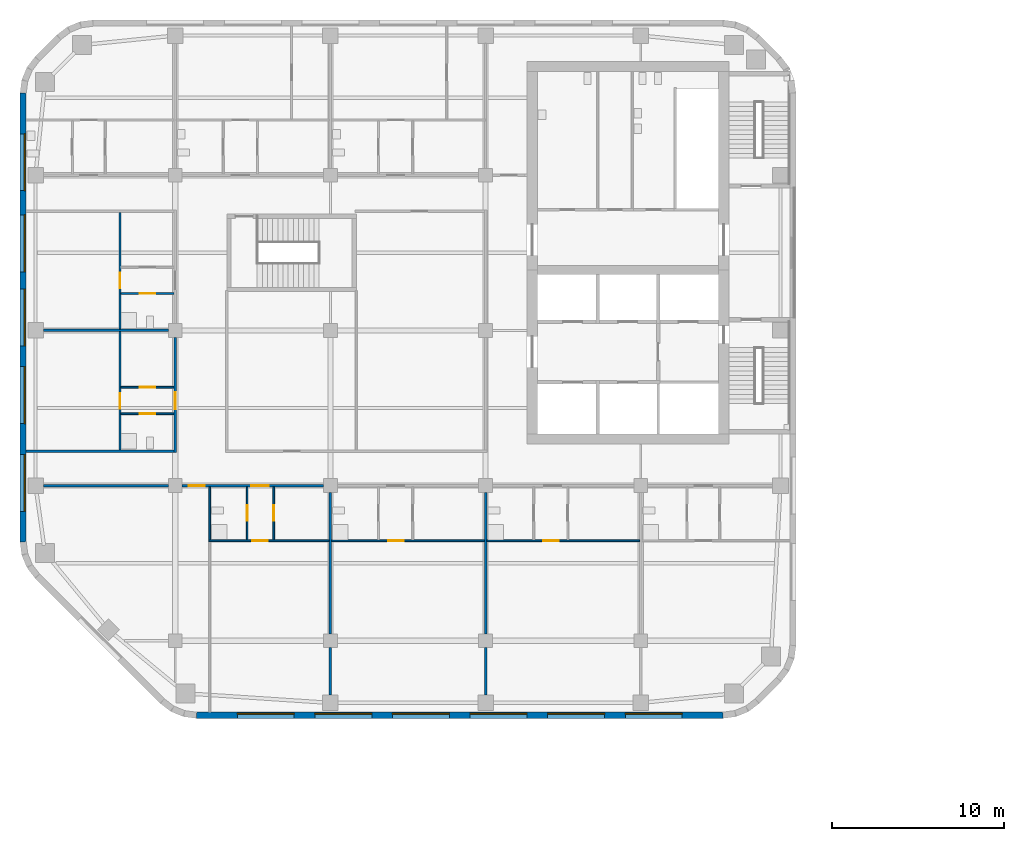
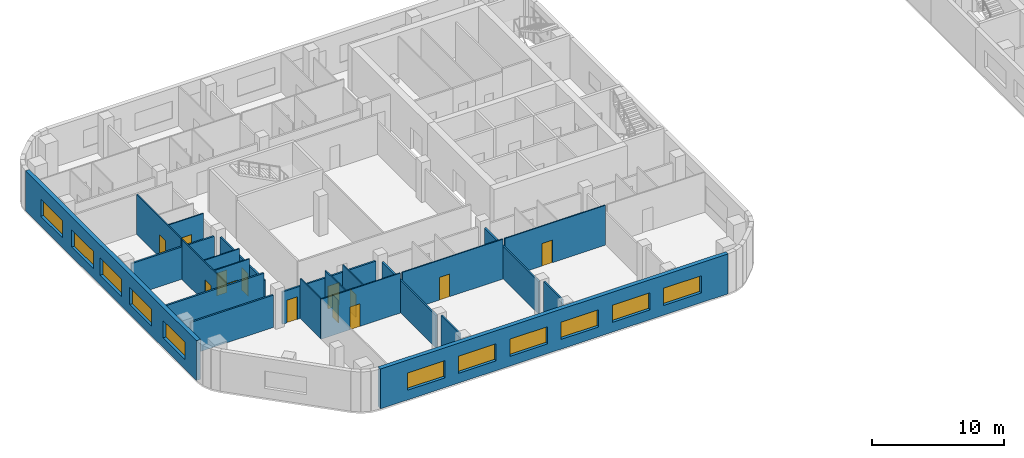
# One storey, part 5 of 16: 22 walls, 13 doors, 11 windows, 24 openings.
"""IFC4 building model written with IfcOpenShell, lengths in metres."""

from ifc_helpers import new_model, si_unit, direction, frame, frame_2d, origin, place, context, subcontext, project, spatial, rectangle, extrude, material, layer, layer_set, type_object, element, fill, save


model = new_model("IFC4")

# Units and contexts
model_context = context("Model", 3, precision=1e-05, world=origin(), true_north=direction((0.0, 1.0)))
body_context = subcontext(model_context, "Body", "Model", "MODEL_VIEW")
ifc_project = project(units=[si_unit("LENGTHUNIT", "METRE"), si_unit("AREAUNIT", "SQUARE_METRE"), si_unit("VOLUMEUNIT", "CUBIC_METRE"), si_unit("PLANEANGLEUNIT", "RADIAN"), si_unit("MASSUNIT", "GRAM", prefix="KILO")], contexts=[model_context])

# Site, building, storey
site_placement = place(None, origin())
site = spatial("IfcSite", under=ifc_project, at=site_placement, CompositionType="ELEMENT")
building_placement = place(site_placement, origin())
building = spatial("IfcBuilding", under=site, at=building_placement, Name="Cinnabar Reach Civic Tower", CompositionType="ELEMENT")
storey_placement = place(building_placement, frame((0.0, 0.0, 42.0)))
storey = spatial("IfcBuildingStorey", under=building, at=storey_placement, Name="L09", CompositionType="ELEMENT", Elevation=42.0)

# Wall, openings, windows
ifc_material_1 = material(Name="Facing brick with insulated backing", Category="masonry")
ifc_layer_1 = layer(ifc_material_1, 0.36)
ifc_layer_set_1 = layer_set([ifc_layer_1], Name="Brick pier and spandrel wall")
wall_type_1 = type_object("IfcWallType", Name="Brick pier and spandrel wall", PredefinedType="STANDARD", material=ifc_layer_set_1)
wall_1_placement = place(storey_placement, frame((-61.7574, 4.68, 0.0), z_axis=(0.0, 0.0, 1.0), x_axis=(1.0, 0.0, 0.0)))
wall_1 = element("IfcWall", 1, at=wall_1_placement, inside=storey, type_object=wall_type_1, Name="Brick facade wall", PredefinedType="STANDARD", context=body_context, shape_type="SweptSolid", body=[
    extrude(rectangle(XDim=30.5148, YDim=0.36, at=frame_2d((15.2574, 0.0))), origin(), (0.0, 0.0, 1.0), 3.7),
])
opening_1_placement = place(wall_1_placement, frame((2.3574, 0.0, 0.9)))
opening_1 = element("IfcOpeningElement", 2, at=opening_1_placement, cuts=wall_1, Name="Opening W2438", PredefinedType="OPENING", context=body_context, shape_type="SweptSolid", body=[
    extrude(rectangle(XDim=3.3, YDim=1.6, at=frame_2d((1.65, 0.8))), frame((0.0, 0.19, 0.0), z_axis=(0.0, -1.0, 0.0), x_axis=(1.0, 0.0, 0.0)), (0.0, 0.0, 1.0), 0.38),
])
opening_2_placement = place(wall_1_placement, frame((6.8574, 0.0, 0.9)))
opening_2 = element("IfcOpeningElement", 3, at=opening_2_placement, cuts=wall_1, Name="Opening W2439", PredefinedType="OPENING", context=body_context, shape_type="SweptSolid", body=[
    extrude(rectangle(XDim=3.3, YDim=1.6, at=frame_2d((1.65, 0.8))), frame((0.0, 0.19, 0.0), z_axis=(0.0, -1.0, 0.0), x_axis=(1.0, 0.0, 0.0)), (0.0, 0.0, 1.0), 0.38),
])
opening_3_placement = place(wall_1_placement, frame((11.3574, 0.0, 0.9)))
opening_3 = element("IfcOpeningElement", 4, at=opening_3_placement, cuts=wall_1, Name="Opening W2440", PredefinedType="OPENING", context=body_context, shape_type="SweptSolid", body=[
    extrude(rectangle(XDim=3.3, YDim=1.6, at=frame_2d((1.65, 0.8))), frame((0.0, 0.19, 0.0), z_axis=(0.0, -1.0, 0.0), x_axis=(1.0, 0.0, 0.0)), (0.0, 0.0, 1.0), 0.38),
])
opening_4_placement = place(wall_1_placement, frame((15.8574, 0.0, 0.9)))
opening_4 = element("IfcOpeningElement", 5, at=opening_4_placement, cuts=wall_1, Name="Opening W2441", PredefinedType="OPENING", context=body_context, shape_type="SweptSolid", body=[
    extrude(rectangle(XDim=3.3, YDim=1.6, at=frame_2d((1.65, 0.8))), frame((0.0, 0.19, 0.0), z_axis=(0.0, -1.0, 0.0), x_axis=(1.0, 0.0, 0.0)), (0.0, 0.0, 1.0), 0.38),
])
opening_5_placement = place(wall_1_placement, frame((20.3574, 0.0, 0.9)))
opening_5 = element("IfcOpeningElement", 6, at=opening_5_placement, cuts=wall_1, Name="Opening W2442", PredefinedType="OPENING", context=body_context, shape_type="SweptSolid", body=[
    extrude(rectangle(XDim=3.3, YDim=1.6, at=frame_2d((1.65, 0.8))), frame((0.0, 0.19, 0.0), z_axis=(0.0, -1.0, 0.0), x_axis=(1.0, 0.0, 0.0)), (0.0, 0.0, 1.0), 0.38),
])
opening_6_placement = place(wall_1_placement, frame((24.8574, 0.0, 0.9)))
opening_6 = element("IfcOpeningElement", 7, at=opening_6_placement, cuts=wall_1, Name="Opening W2443", PredefinedType="OPENING", context=body_context, shape_type="SweptSolid", body=[
    extrude(rectangle(XDim=3.3, YDim=1.6, at=frame_2d((1.65, 0.8))), frame((0.0, 0.19, 0.0), z_axis=(0.0, -1.0, 0.0), x_axis=(1.0, 0.0, 0.0)), (0.0, 0.0, 1.0), 0.38),
])
ifc_material_2 = material(Name="Clear double glazing in aluminium frame", Category="aluminium")
window_type = type_object("IfcWindowType", Name="Deep-set window A", PartitioningType="SINGLE_PANEL", PredefinedType="WINDOW", material=ifc_material_2)
window_1_placement = place(opening_1_placement, origin())
window_1 = element("IfcWindow", 8, at=window_1_placement, inside=storey, type_object=window_type, Name="Window south face", OverallHeight=1.6, OverallWidth=3.3, PartitioningType="SINGLE_PANEL", PredefinedType="WINDOW", context=body_context, shape_type="SweptSolid", body=[
    extrude(rectangle(XDim=3.3, YDim=1.6, at=frame_2d((1.65, 0.8))), frame((0.0, 0.13, 0.0), z_axis=(0.0, -1.0, 0.0), x_axis=(1.0, 0.0, 0.0)), (0.0, 0.0, 1.0), 0.06),
])
fill(opening_1, window_1)
window_2_placement = place(opening_2_placement, origin())
window_2 = element("IfcWindow", 9, at=window_2_placement, inside=storey, type_object=window_type, Name="Window south face", OverallHeight=1.6, OverallWidth=3.3, PartitioningType="SINGLE_PANEL", PredefinedType="WINDOW", context=body_context, shape_type="SweptSolid", body=[
    extrude(rectangle(XDim=3.3, YDim=1.6, at=frame_2d((1.65, 0.8))), frame((0.0, 0.13, 0.0), z_axis=(0.0, -1.0, 0.0), x_axis=(1.0, 0.0, 0.0)), (0.0, 0.0, 1.0), 0.06),
])
fill(opening_2, window_2)
window_3_placement = place(opening_3_placement, origin())
window_3 = element("IfcWindow", 10, at=window_3_placement, inside=storey, type_object=window_type, Name="Window south face", OverallHeight=1.6, OverallWidth=3.3, PartitioningType="SINGLE_PANEL", PredefinedType="WINDOW", context=body_context, shape_type="SweptSolid", body=[
    extrude(rectangle(XDim=3.3, YDim=1.6, at=frame_2d((1.65, 0.8))), frame((0.0, 0.13, 0.0), z_axis=(0.0, -1.0, 0.0), x_axis=(1.0, 0.0, 0.0)), (0.0, 0.0, 1.0), 0.06),
])
fill(opening_3, window_3)
window_4_placement = place(opening_4_placement, origin())
window_4 = element("IfcWindow", 11, at=window_4_placement, inside=storey, type_object=window_type, Name="Window south face", OverallHeight=1.6, OverallWidth=3.3, PartitioningType="SINGLE_PANEL", PredefinedType="WINDOW", context=body_context, shape_type="SweptSolid", body=[
    extrude(rectangle(XDim=3.3, YDim=1.6, at=frame_2d((1.65, 0.8))), frame((0.0, 0.13, 0.0), z_axis=(0.0, -1.0, 0.0), x_axis=(1.0, 0.0, 0.0)), (0.0, 0.0, 1.0), 0.06),
])
fill(opening_4, window_4)
window_5_placement = place(opening_5_placement, origin())
window_5 = element("IfcWindow", 12, at=window_5_placement, inside=storey, type_object=window_type, Name="Window south face", OverallHeight=1.6, OverallWidth=3.3, PartitioningType="SINGLE_PANEL", PredefinedType="WINDOW", context=body_context, shape_type="SweptSolid", body=[
    extrude(rectangle(XDim=3.3, YDim=1.6, at=frame_2d((1.65, 0.8))), frame((0.0, 0.13, 0.0), z_axis=(0.0, -1.0, 0.0), x_axis=(1.0, 0.0, 0.0)), (0.0, 0.0, 1.0), 0.06),
])
fill(opening_5, window_5)
window_6_placement = place(opening_6_placement, origin())
window_6 = element("IfcWindow", 13, at=window_6_placement, inside=storey, type_object=window_type, Name="Window south face", OverallHeight=1.6, OverallWidth=3.3, PartitioningType="SINGLE_PANEL", PredefinedType="WINDOW", context=body_context, shape_type="SweptSolid", body=[
    extrude(rectangle(XDim=3.3, YDim=1.6, at=frame_2d((1.65, 0.8))), frame((0.0, 0.13, 0.0), z_axis=(0.0, -1.0, 0.0), x_axis=(1.0, 0.0, 0.0)), (0.0, 0.0, 1.0), 0.06),
])
fill(opening_6, window_6)

wall_2_placement = place(storey_placement, frame((-71.82, 40.7574, 0.0), z_axis=(0.0, 0.0, 1.0), x_axis=(0.0, -1.0, 0.0)))
wall_2 = element("IfcWall", 14, at=wall_2_placement, inside=storey, type_object=wall_type_1, Name="Brick facade wall", PredefinedType="STANDARD", context=body_context, shape_type="SweptSolid", body=[
    extrude(rectangle(XDim=26.0148, YDim=0.36, at=frame_2d((13.0074, 0.0))), origin(), (0.0, 0.0, 1.0), 3.7),
])
opening_7_placement = place(wall_2_placement, frame((2.3574, 0.0, 0.9)))
opening_7 = element("IfcOpeningElement", 15, at=opening_7_placement, cuts=wall_2, Name="Opening W2454", PredefinedType="OPENING", context=body_context, shape_type="SweptSolid", body=[
    extrude(rectangle(XDim=3.3, YDim=1.6, at=frame_2d((1.65, 0.8))), frame((0.0, 0.19, 0.0), z_axis=(0.0, -1.0, 0.0), x_axis=(1.0, 0.0, 0.0)), (0.0, 0.0, 1.0), 0.38),
])
opening_8_placement = place(wall_2_placement, frame((7.0574, 0.0, 0.9)))
opening_8 = element("IfcOpeningElement", 16, at=opening_8_placement, cuts=wall_2, Name="Opening W2455", PredefinedType="OPENING", context=body_context, shape_type="SweptSolid", body=[
    extrude(rectangle(XDim=3.3, YDim=1.6, at=frame_2d((1.65, 0.8))), frame((0.0, 0.19, 0.0), z_axis=(0.0, -1.0, 0.0), x_axis=(1.0, 0.0, 0.0)), (0.0, 0.0, 1.0), 0.38),
])
opening_9_placement = place(wall_2_placement, frame((11.3574, 0.0, 0.9)))
opening_9 = element("IfcOpeningElement", 17, at=opening_9_placement, cuts=wall_2, Name="Opening W2456", PredefinedType="OPENING", context=body_context, shape_type="SweptSolid", body=[
    extrude(rectangle(XDim=3.3, YDim=1.6, at=frame_2d((1.65, 0.8))), frame((0.0, 0.19, 0.0), z_axis=(0.0, -1.0, 0.0), x_axis=(1.0, 0.0, 0.0)), (0.0, 0.0, 1.0), 0.38),
])
opening_10_placement = place(wall_2_placement, frame((15.8574, 0.0, 0.9)))
opening_10 = element("IfcOpeningElement", 18, at=opening_10_placement, cuts=wall_2, Name="Opening W2457", PredefinedType="OPENING", context=body_context, shape_type="SweptSolid", body=[
    extrude(rectangle(XDim=3.3, YDim=1.6, at=frame_2d((1.65, 0.8))), frame((0.0, 0.19, 0.0), z_axis=(0.0, -1.0, 0.0), x_axis=(1.0, 0.0, 0.0)), (0.0, 0.0, 1.0), 0.38),
])
opening_11_placement = place(wall_2_placement, frame((20.9574, 0.0, 0.9)))
opening_11 = element("IfcOpeningElement", 19, at=opening_11_placement, cuts=wall_2, Name="Opening W2458", PredefinedType="OPENING", context=body_context, shape_type="SweptSolid", body=[
    extrude(rectangle(XDim=3.3, YDim=1.6, at=frame_2d((1.65, 0.8))), frame((0.0, 0.19, 0.0), z_axis=(0.0, -1.0, 0.0), x_axis=(1.0, 0.0, 0.0)), (0.0, 0.0, 1.0), 0.38),
])
window_7_placement = place(opening_7_placement, origin())
window_7 = element("IfcWindow", 20, at=window_7_placement, inside=storey, type_object=window_type, Name="Window west face", OverallHeight=1.6, OverallWidth=3.3, PartitioningType="SINGLE_PANEL", PredefinedType="WINDOW", context=body_context, shape_type="SweptSolid", body=[
    extrude(rectangle(XDim=3.3, YDim=1.6, at=frame_2d((1.65, 0.8))), frame((0.0, 0.13, 0.0), z_axis=(0.0, -1.0, 0.0), x_axis=(1.0, 0.0, 0.0)), (0.0, 0.0, 1.0), 0.06),
])
fill(opening_7, window_7)
window_8_placement = place(opening_8_placement, origin())
window_8 = element("IfcWindow", 21, at=window_8_placement, inside=storey, type_object=window_type, Name="Window west face", OverallHeight=1.6, OverallWidth=3.3, PartitioningType="SINGLE_PANEL", PredefinedType="WINDOW", context=body_context, shape_type="SweptSolid", body=[
    extrude(rectangle(XDim=3.3, YDim=1.6, at=frame_2d((1.65, 0.8))), frame((0.0, 0.13, 0.0), z_axis=(0.0, -1.0, 0.0), x_axis=(1.0, 0.0, 0.0)), (0.0, 0.0, 1.0), 0.06),
])
fill(opening_8, window_8)
window_9_placement = place(opening_9_placement, origin())
window_9 = element("IfcWindow", 22, at=window_9_placement, inside=storey, type_object=window_type, Name="Window west face", OverallHeight=1.6, OverallWidth=3.3, PartitioningType="SINGLE_PANEL", PredefinedType="WINDOW", context=body_context, shape_type="SweptSolid", body=[
    extrude(rectangle(XDim=3.3, YDim=1.6, at=frame_2d((1.65, 0.8))), frame((0.0, 0.13, 0.0), z_axis=(0.0, -1.0, 0.0), x_axis=(1.0, 0.0, 0.0)), (0.0, 0.0, 1.0), 0.06),
])
fill(opening_9, window_9)
window_10_placement = place(opening_10_placement, origin())
window_10 = element("IfcWindow", 23, at=window_10_placement, inside=storey, type_object=window_type, Name="Window west face", OverallHeight=1.6, OverallWidth=3.3, PartitioningType="SINGLE_PANEL", PredefinedType="WINDOW", context=body_context, shape_type="SweptSolid", body=[
    extrude(rectangle(XDim=3.3, YDim=1.6, at=frame_2d((1.65, 0.8))), frame((0.0, 0.13, 0.0), z_axis=(0.0, -1.0, 0.0), x_axis=(1.0, 0.0, 0.0)), (0.0, 0.0, 1.0), 0.06),
])
fill(opening_10, window_10)
window_11_placement = place(opening_11_placement, origin())
window_11 = element("IfcWindow", 24, at=window_11_placement, inside=storey, type_object=window_type, Name="Window west face", OverallHeight=1.6, OverallWidth=3.3, PartitioningType="SINGLE_PANEL", PredefinedType="WINDOW", context=body_context, shape_type="SweptSolid", body=[
    extrude(rectangle(XDim=3.3, YDim=1.6, at=frame_2d((1.65, 0.8))), frame((0.0, 0.13, 0.0), z_axis=(0.0, -1.0, 0.0), x_axis=(1.0, 0.0, 0.0)), (0.0, 0.0, 1.0), 0.06),
])
fill(opening_11, window_11)

# Wall, openings, doors
ifc_material_3 = material(Name="Gypsum board on steel studs, double layer", Category="steel")
ifc_layer_2 = layer(ifc_material_3, 0.15)
ifc_layer_set_2 = layer_set([ifc_layer_2], Name="Corridor wall 150 T2")
wall_type_2 = type_object("IfcWallType", Name="Corridor wall 150 T2", PredefinedType="PARTITIONING", material=ifc_layer_set_2)
wall_3_placement = place(storey_placement, frame((-62.6, 18.0, 0.0), z_axis=(0.0, 0.0, 1.0), x_axis=(1.0, 0.0, 0.0)))
wall_3 = element("IfcWall", 25, at=wall_3_placement, inside=storey, type_object=wall_type_2, Name="Corridor wall 4", PredefinedType="PARTITIONING", context=body_context, shape_type="SweptSolid", body=[
    extrude(rectangle(XDim=8.2, YDim=0.15, at=frame_2d((4.1, 0.0))), origin(), (0.0, 0.0, 1.0), 3.0),
])
opening_12_placement = place(wall_3_placement, frame((0.4, 0.0, 0.0)))
opening_12 = element("IfcOpeningElement", 26, at=opening_12_placement, cuts=wall_3, Name="Opening D6328", PredefinedType="OPENING", context=body_context, shape_type="SweptSolid", body=[
    extrude(rectangle(XDim=0.9, YDim=2.1, at=frame_2d((0.45, 1.05))), frame((0.0, 0.085, 0.0), z_axis=(0.0, -1.0, 0.0), x_axis=(1.0, 0.0, 0.0)), (0.0, 0.0, 1.0), 0.17),
])
opening_13_placement = place(wall_3_placement, frame((4.02, 0.0, 0.0)))
opening_13 = element("IfcOpeningElement", 27, at=opening_13_placement, cuts=wall_3, Name="Opening D6332", PredefinedType="OPENING", context=body_context, shape_type="SweptSolid", body=[
    extrude(rectangle(XDim=1.0, YDim=2.1, at=frame_2d((0.5, 1.05))), frame((0.0, 0.085, 0.0), z_axis=(0.0, -1.0, 0.0), x_axis=(1.0, 0.0, 0.0)), (0.0, 0.0, 1.0), 0.17),
])
ifc_material_4 = material(Name="Timber door leaf in steel frame", Category="steel")
door_type_1 = type_object("IfcDoorType", Name="Single swing door 900 x 2100 T2", OperationType="SINGLE_SWING_LEFT", PredefinedType="DOOR", material=ifc_material_4)
door_1_placement = place(opening_12_placement, frame((0.9, 0.0, 0.0), z_axis=(0.0, 0.0, 1.0), x_axis=(-1.0, 0.0, 0.0)))
door_1 = element("IfcDoor", 28, at=door_1_placement, inside=storey, type_object=door_type_1, Name="Door D6328", OperationType="SINGLE_SWING_LEFT", OverallHeight=2.1, OverallWidth=0.9, PredefinedType="DOOR", context=body_context, shape_type="SweptSolid", body=[
    extrude(rectangle(XDim=0.9, YDim=2.1, at=frame_2d((0.45, 1.05))), frame((0.0, 0.025, 0.0), z_axis=(0.0, -1.0, 0.0), x_axis=(1.0, 0.0, 0.0)), (0.0, 0.0, 1.0), 0.05),
])
fill(opening_12, door_1)
door_type_2 = type_object("IfcDoorType", Name="Tenancy entrance door 1000 x 2100 T2", OperationType="SINGLE_SWING_LEFT", PredefinedType="DOOR", material=ifc_material_4)
door_2_placement = place(opening_13_placement, frame((1.0, 0.0, 0.0), z_axis=(0.0, 0.0, 1.0), x_axis=(-1.0, 0.0, 0.0)))
door_2 = element("IfcDoor", 29, at=door_2_placement, inside=storey, type_object=door_type_2, Name="Door D6332", OperationType="SINGLE_SWING_RIGHT", OverallHeight=2.1, OverallWidth=1.0, PredefinedType="DOOR", context=body_context, shape_type="SweptSolid", body=[
    extrude(rectangle(XDim=1.0, YDim=2.1, at=frame_2d((0.5, 1.05))), frame((0.0, 0.025, 0.0), z_axis=(0.0, -1.0, 0.0), x_axis=(1.0, 0.0, 0.0)), (0.0, 0.0, 1.0), 0.05),
])
fill(opening_13, door_2)

# Wall
wall_4_placement = place(storey_placement, frame((-70.65, 18.0, 0.0), z_axis=(0.0, 0.0, 1.0), x_axis=(1.0, 0.0, 0.0)))
element("IfcWall", 30, at=wall_4_placement, inside=storey, type_object=wall_type_2, Name="Corridor wall 5", PredefinedType="PARTITIONING", context=body_context, shape_type="SweptSolid", body=[
    extrude(rectangle(XDim=7.25, YDim=0.15, at=frame_2d((3.625, 0.0))), origin(), (0.0, 0.0, 1.0), 3.0),
])

# Wall, opening, door
wall_5_placement = place(storey_placement, frame((-63.0, 19.925, 0.0), z_axis=(0.0, 0.0, 1.0), x_axis=(0.0, 1.0, 0.0)))
wall_5 = element("IfcWall", 31, at=wall_5_placement, inside=storey, type_object=wall_type_2, Name="Corridor wall 11", PredefinedType="PARTITIONING", context=body_context, shape_type="SweptSolid", body=[
    extrude(rectangle(XDim=6.675, YDim=0.15, at=frame_2d((3.3375, 0.0))), origin(), (0.0, 0.0, 1.0), 3.008),
])
opening_14_placement = place(wall_5_placement, frame((2.495, 0.0, 0.0)))
opening_14 = element("IfcOpeningElement", 32, at=opening_14_placement, cuts=wall_5, Name="Opening D6362", PredefinedType="OPENING", context=body_context, shape_type="SweptSolid", body=[
    extrude(rectangle(XDim=1.0, YDim=2.1, at=frame_2d((0.5, 1.05))), frame((0.0, 0.085, 0.0), z_axis=(0.0, -1.0, 0.0), x_axis=(1.0, 0.0, 0.0)), (0.0, 0.0, 1.0), 0.17),
])
door_3_placement = place(opening_14_placement, origin())
door_3 = element("IfcDoor", 33, at=door_3_placement, inside=storey, type_object=door_type_2, Name="Door D6362", OperationType="SINGLE_SWING_LEFT", OverallHeight=2.1, OverallWidth=1.0, PredefinedType="DOOR", context=body_context, shape_type="SweptSolid", body=[
    extrude(rectangle(XDim=1.0, YDim=2.1, at=frame_2d((0.5, 1.05))), frame((0.0, 0.025, 0.0), z_axis=(0.0, -1.0, 0.0), x_axis=(1.0, 0.0, 0.0)), (0.0, 0.0, 1.0), 0.05),
])
fill(opening_14, door_3)

# Wall
wall_6_placement = place(storey_placement, frame((-71.64, 20.0, 0.0), z_axis=(0.0, 0.0, 1.0), x_axis=(1.0, 0.0, 0.0)))
element("IfcWall", 34, at=wall_6_placement, inside=storey, type_object=wall_type_2, Name="Corridor wall 16", PredefinedType="PARTITIONING", context=body_context, shape_type="SweptSolid", body=[
    extrude(rectangle(XDim=8.565, YDim=0.15, at=frame_2d((4.2825, 0.0))), origin(), (0.0, 0.0, 1.0), 3.7),
])

# Wall, opening, door
ifc_material_5 = material(Name="Gypsum board on steel studs", Category="steel")
ifc_layer_3 = layer(ifc_material_5, 0.1)
ifc_layer_set_3 = layer_set([ifc_layer_3], Name="Partition wall 100 T2")
wall_type_3 = type_object("IfcWallType", Name="Partition wall 100 T2", PredefinedType="PARTITIONING", material=ifc_layer_set_3)
wall_7_placement = place(storey_placement, frame((-61.05, 14.8, 0.0), z_axis=(0.0, 0.0, 1.0), x_axis=(1.0, 0.0, 0.0)))
wall_7 = element("IfcWall", 35, at=wall_7_placement, inside=storey, type_object=wall_type_3, Name="Partition wall 28", PredefinedType="PARTITIONING", context=body_context, shape_type="SweptSolid", body=[
    extrude(rectangle(XDim=6.975, YDim=0.1, at=frame_2d((3.4875, 0.0))), origin(), (0.0, 0.0, 1.0), 3.7),
])
opening_15_placement = place(wall_7_placement, frame((2.52, 0.0, 0.0)))
opening_15 = element("IfcOpeningElement", 36, at=opening_15_placement, cuts=wall_7, Name="Opening D6331", PredefinedType="OPENING", context=body_context, shape_type="SweptSolid", body=[
    extrude(rectangle(XDim=0.9, YDim=2.1, at=frame_2d((0.45, 1.05))), frame((0.0, 0.06, 0.0), z_axis=(0.0, -1.0, 0.0), x_axis=(1.0, 0.0, 0.0)), (0.0, 0.0, 1.0), 0.12),
])
door_4_placement = place(opening_15_placement, origin())
door_4 = element("IfcDoor", 37, at=door_4_placement, inside=storey, type_object=door_type_1, Name="Door D6331", OperationType="SINGLE_SWING_LEFT", OverallHeight=2.1, OverallWidth=0.9, PredefinedType="DOOR", context=body_context, shape_type="SweptSolid", body=[
    extrude(rectangle(XDim=0.9, YDim=2.1, at=frame_2d((0.45, 1.05))), frame((0.0, 0.025, 0.0), z_axis=(0.0, -1.0, 0.0), x_axis=(1.0, 0.0, 0.0)), (0.0, 0.0, 1.0), 0.05),
])
fill(opening_15, door_4)

wall_8_placement = place(storey_placement, frame((-53.925, 14.8, 0.0), z_axis=(0.0, 0.0, 1.0), x_axis=(1.0, 0.0, 0.0)))
wall_8 = element("IfcWall", 38, at=wall_8_placement, inside=storey, type_object=wall_type_3, Name="Partition wall 29", PredefinedType="PARTITIONING", context=body_context, shape_type="SweptSolid", body=[
    extrude(rectangle(XDim=8.85, YDim=0.1, at=frame_2d((4.425, 0.0))), origin(), (0.0, 0.0, 1.0), 3.7),
])
opening_16_placement = place(wall_8_placement, frame((3.265, 0.0, 0.0)))
opening_16 = element("IfcOpeningElement", 39, at=opening_16_placement, cuts=wall_8, Name="Opening D6335", PredefinedType="OPENING", context=body_context, shape_type="SweptSolid", body=[
    extrude(rectangle(XDim=0.9, YDim=2.1, at=frame_2d((0.45, 1.05))), frame((0.0, 0.06, 0.0), z_axis=(0.0, -1.0, 0.0), x_axis=(1.0, 0.0, 0.0)), (0.0, 0.0, 1.0), 0.12),
])
door_5_placement = place(opening_16_placement, origin())
door_5 = element("IfcDoor", 40, at=door_5_placement, inside=storey, type_object=door_type_1, Name="Door D6335", OperationType="SINGLE_SWING_RIGHT", OverallHeight=2.1, OverallWidth=0.9, PredefinedType="DOOR", context=body_context, shape_type="SweptSolid", body=[
    extrude(rectangle(XDim=0.9, YDim=2.1, at=frame_2d((0.45, 1.05))), frame((0.0, 0.025, 0.0), z_axis=(0.0, -1.0, 0.0), x_axis=(1.0, 0.0, 0.0)), (0.0, 0.0, 1.0), 0.05),
])
fill(opening_16, door_5)

wall_9_placement = place(storey_placement, frame((-44.925, 14.8, 0.0), z_axis=(0.0, 0.0, 1.0), x_axis=(1.0, 0.0, 0.0)))
wall_9 = element("IfcWall", 41, at=wall_9_placement, inside=storey, type_object=wall_type_3, Name="Partition wall 30", PredefinedType="PARTITIONING", context=body_context, shape_type="SweptSolid", body=[
    extrude(rectangle(XDim=8.85, YDim=0.1, at=frame_2d((4.425, 0.0))), origin(), (0.0, 0.0, 1.0), 3.7),
])
opening_17_placement = place(wall_9_placement, frame((3.265, 0.0, 0.0)))
opening_17 = element("IfcOpeningElement", 42, at=opening_17_placement, cuts=wall_9, Name="Opening D6339", PredefinedType="OPENING", context=body_context, shape_type="SweptSolid", body=[
    extrude(rectangle(XDim=0.9, YDim=2.1, at=frame_2d((0.45, 1.05))), frame((0.0, 0.06, 0.0), z_axis=(0.0, -1.0, 0.0), x_axis=(1.0, 0.0, 0.0)), (0.0, 0.0, 1.0), 0.12),
])
door_6_placement = place(opening_17_placement, origin())
door_6 = element("IfcDoor", 43, at=door_6_placement, inside=storey, type_object=door_type_1, Name="Door D6339", OperationType="SINGLE_SWING_RIGHT", OverallHeight=2.1, OverallWidth=0.9, PredefinedType="DOOR", context=body_context, shape_type="SweptSolid", body=[
    extrude(rectangle(XDim=0.9, YDim=2.1, at=frame_2d((0.45, 1.05))), frame((0.0, 0.025, 0.0), z_axis=(0.0, -1.0, 0.0), x_axis=(1.0, 0.0, 0.0)), (0.0, 0.0, 1.0), 0.05),
])
fill(opening_17, door_6)

wall_10_placement = place(storey_placement, frame((-66.2, 27.075, 0.0), z_axis=(0.0, 0.0, 1.0), x_axis=(0.0, 1.0, 0.0)))
wall_10 = element("IfcWall", 44, at=wall_10_placement, inside=storey, type_object=wall_type_3, Name="Partition wall 35", PredefinedType="PARTITIONING", context=body_context, shape_type="SweptSolid", body=[
    extrude(rectangle(XDim=6.75, YDim=0.1, at=frame_2d((3.375, 0.0))), origin(), (0.0, 0.0, 1.0), 3.7),
])
opening_18_placement = place(wall_10_placement, frame((2.364, 0.0, 0.0)))
opening_18 = element("IfcOpeningElement", 45, at=opening_18_placement, cuts=wall_10, Name="Opening D6365", PredefinedType="OPENING", context=body_context, shape_type="SweptSolid", body=[
    extrude(rectangle(XDim=0.9, YDim=2.1, at=frame_2d((0.45, 1.05))), frame((0.0, 0.06, 0.0), z_axis=(0.0, -1.0, 0.0), x_axis=(1.0, 0.0, 0.0)), (0.0, 0.0, 1.0), 0.12),
])
door_7_placement = place(opening_18_placement, frame((0.9, 0.0, 0.0), z_axis=(0.0, 0.0, 1.0), x_axis=(-1.0, 0.0, 0.0)))
door_7 = element("IfcDoor", 46, at=door_7_placement, inside=storey, type_object=door_type_1, Name="Door D6365", OperationType="SINGLE_SWING_LEFT", OverallHeight=2.1, OverallWidth=0.9, PredefinedType="DOOR", context=body_context, shape_type="SweptSolid", body=[
    extrude(rectangle(XDim=0.9, YDim=2.1, at=frame_2d((0.45, 1.05))), frame((0.0, 0.025, 0.0), z_axis=(0.0, -1.0, 0.0), x_axis=(1.0, 0.0, 0.0)), (0.0, 0.0, 1.0), 0.05),
])
fill(opening_18, door_7)

wall_11_placement = place(storey_placement, frame((-66.2, 20.075, 0.0), z_axis=(0.0, 0.0, 1.0), x_axis=(0.0, 1.0, 0.0)))
wall_11 = element("IfcWall", 47, at=wall_11_placement, inside=storey, type_object=wall_type_3, Name="Partition wall 36", PredefinedType="PARTITIONING", context=body_context, shape_type="SweptSolid", body=[
    extrude(rectangle(XDim=6.85, YDim=0.1, at=frame_2d((3.425, 0.0))), origin(), (0.0, 0.0, 1.0), 3.7),
])
opening_19_placement = place(wall_11_placement, frame((2.395, 0.0, 0.0)))
opening_19 = element("IfcOpeningElement", 48, at=opening_19_placement, cuts=wall_11, Name="Opening D6361", PredefinedType="OPENING", context=body_context, shape_type="SweptSolid", body=[
    extrude(rectangle(XDim=0.9, YDim=2.1, at=frame_2d((0.45, 1.05))), frame((0.0, 0.06, 0.0), z_axis=(0.0, -1.0, 0.0), x_axis=(1.0, 0.0, 0.0)), (0.0, 0.0, 1.0), 0.12),
])
door_8_placement = place(opening_19_placement, frame((0.9, 0.0, 0.0), z_axis=(0.0, 0.0, 1.0), x_axis=(-1.0, 0.0, 0.0)))
door_8 = element("IfcDoor", 49, at=door_8_placement, inside=storey, type_object=door_type_1, Name="Door D6361", OperationType="SINGLE_SWING_RIGHT", OverallHeight=2.1, OverallWidth=0.9, PredefinedType="DOOR", context=body_context, shape_type="SweptSolid", body=[
    extrude(rectangle(XDim=0.9, YDim=2.1, at=frame_2d((0.45, 1.05))), frame((0.0, 0.025, 0.0), z_axis=(0.0, -1.0, 0.0), x_axis=(1.0, 0.0, 0.0)), (0.0, 0.0, 1.0), 0.05),
])
fill(opening_19, door_8)

# Wall
wall_12_placement = place(storey_placement, frame((-61.0, 14.85, 0.0), z_axis=(0.0, 0.0, 1.0), x_axis=(0.0, 1.0, 0.0)))
element("IfcWall", 50, at=wall_12_placement, inside=storey, type_object=wall_type_3, Name="Partition wall 37", PredefinedType="PARTITIONING", context=body_context, shape_type="SweptSolid", body=[
    extrude(rectangle(XDim=3.075, YDim=0.1, at=frame_2d((1.5375, 0.0))), origin(), (0.0, 0.0, 1.0), 3.7),
])

# Wall, opening, door
wall_13_placement = place(storey_placement, frame((-66.15, 22.17, 0.0), z_axis=(0.0, 0.0, 1.0), x_axis=(1.0, 0.0, 0.0)))
wall_13 = element("IfcWall", 51, at=wall_13_placement, inside=storey, type_object=wall_type_3, Name="Partition wall 44", PredefinedType="PARTITIONING", context=body_context, shape_type="SweptSolid", body=[
    extrude(rectangle(XDim=3.075, YDim=0.1, at=frame_2d((1.5375, 0.0))), origin(), (0.0, 0.0, 1.0), 3.7),
])
opening_20_placement = place(wall_13_placement, frame((1.1, 0.0, 0.0)))
opening_20 = element("IfcOpeningElement", 52, at=opening_20_placement, cuts=wall_13, Name="Opening D6359", PredefinedType="OPENING", context=body_context, shape_type="SweptSolid", body=[
    extrude(rectangle(XDim=0.9, YDim=2.1, at=frame_2d((0.45, 1.05))), frame((0.0, 0.06, 0.0), z_axis=(0.0, -1.0, 0.0), x_axis=(1.0, 0.0, 0.0)), (0.0, 0.0, 1.0), 0.12),
])
door_9_placement = place(opening_20_placement, frame((0.9, 0.0, 0.0), z_axis=(0.0, 0.0, 1.0), x_axis=(-1.0, 0.0, 0.0)))
door_9 = element("IfcDoor", 53, at=door_9_placement, inside=storey, type_object=door_type_1, Name="Door D6359", OperationType="SINGLE_SWING_RIGHT", OverallHeight=2.1, OverallWidth=0.9, PredefinedType="DOOR", context=body_context, shape_type="SweptSolid", body=[
    extrude(rectangle(XDim=0.9, YDim=2.1, at=frame_2d((0.45, 1.05))), frame((0.0, 0.025, 0.0), z_axis=(0.0, -1.0, 0.0), x_axis=(1.0, 0.0, 0.0)), (0.0, 0.0, 1.0), 0.05),
])
fill(opening_20, door_9)

wall_14_placement = place(storey_placement, frame((-66.15, 23.71, 0.0), z_axis=(0.0, 0.0, 1.0), x_axis=(1.0, 0.0, 0.0)))
wall_14 = element("IfcWall", 54, at=wall_14_placement, inside=storey, type_object=wall_type_3, Name="Partition wall 45", PredefinedType="PARTITIONING", context=body_context, shape_type="SweptSolid", body=[
    extrude(rectangle(XDim=3.075, YDim=0.1, at=frame_2d((1.5375, 0.0))), origin(), (0.0, 0.0, 1.0), 3.7),
])
opening_21_placement = place(wall_14_placement, frame((1.1, 0.0, 0.0)))
opening_21 = element("IfcOpeningElement", 55, at=opening_21_placement, cuts=wall_14, Name="Opening D6360", PredefinedType="OPENING", context=body_context, shape_type="SweptSolid", body=[
    extrude(rectangle(XDim=0.9, YDim=2.1, at=frame_2d((0.45, 1.05))), frame((0.0, 0.06, 0.0), z_axis=(0.0, -1.0, 0.0), x_axis=(1.0, 0.0, 0.0)), (0.0, 0.0, 1.0), 0.12),
])
door_10_placement = place(opening_21_placement, frame((0.9, 0.0, 0.0), z_axis=(0.0, 0.0, 1.0), x_axis=(-1.0, 0.0, 0.0)))
door_10 = element("IfcDoor", 56, at=door_10_placement, inside=storey, type_object=door_type_1, Name="Door D6360", OperationType="SINGLE_SWING_RIGHT", OverallHeight=2.1, OverallWidth=0.9, PredefinedType="DOOR", context=body_context, shape_type="SweptSolid", body=[
    extrude(rectangle(XDim=0.9, YDim=2.1, at=frame_2d((0.45, 1.05))), frame((0.0, 0.025, 0.0), z_axis=(0.0, -1.0, 0.0), x_axis=(1.0, 0.0, 0.0)), (0.0, 0.0, 1.0), 0.05),
])
fill(opening_21, door_10)

wall_15_placement = place(storey_placement, frame((-66.15, 29.139, 0.0), z_axis=(0.0, 0.0, 1.0), x_axis=(1.0, 0.0, 0.0)))
wall_15 = element("IfcWall", 57, at=wall_15_placement, inside=storey, type_object=wall_type_3, Name="Partition wall 46", PredefinedType="PARTITIONING", context=body_context, shape_type="SweptSolid", body=[
    extrude(rectangle(XDim=3.075, YDim=0.1, at=frame_2d((1.5375, 0.0))), origin(), (0.0, 0.0, 1.0), 3.7),
])
opening_22_placement = place(wall_15_placement, frame((1.1, 0.0, 0.0)))
opening_22 = element("IfcOpeningElement", 58, at=opening_22_placement, cuts=wall_15, Name="Opening D6363", PredefinedType="OPENING", context=body_context, shape_type="SweptSolid", body=[
    extrude(rectangle(XDim=0.9, YDim=2.1, at=frame_2d((0.45, 1.05))), frame((0.0, 0.06, 0.0), z_axis=(0.0, -1.0, 0.0), x_axis=(1.0, 0.0, 0.0)), (0.0, 0.0, 1.0), 0.12),
])
door_11_placement = place(opening_22_placement, frame((0.9, 0.0, 0.0), z_axis=(0.0, 0.0, 1.0), x_axis=(-1.0, 0.0, 0.0)))
door_11 = element("IfcDoor", 59, at=door_11_placement, inside=storey, type_object=door_type_1, Name="Door D6363", OperationType="SINGLE_SWING_RIGHT", OverallHeight=2.1, OverallWidth=0.9, PredefinedType="DOOR", context=body_context, shape_type="SweptSolid", body=[
    extrude(rectangle(XDim=0.9, YDim=2.1, at=frame_2d((0.45, 1.05))), frame((0.0, 0.025, 0.0), z_axis=(0.0, -1.0, 0.0), x_axis=(1.0, 0.0, 0.0)), (0.0, 0.0, 1.0), 0.05),
])
fill(opening_22, door_11)

wall_16_placement = place(storey_placement, frame((-58.83, 14.85, 0.0), z_axis=(0.0, 0.0, 1.0), x_axis=(0.0, 1.0, 0.0)))
wall_16 = element("IfcWall", 60, at=wall_16_placement, inside=storey, type_object=wall_type_3, Name="Partition wall 54", PredefinedType="PARTITIONING", context=body_context, shape_type="SweptSolid", body=[
    extrude(rectangle(XDim=3.075, YDim=0.1, at=frame_2d((1.5375, 0.0))), origin(), (0.0, 0.0, 1.0), 3.7),
])
opening_23_placement = place(wall_16_placement, frame((1.1, 0.0, 0.0)))
opening_23 = element("IfcOpeningElement", 61, at=opening_23_placement, cuts=wall_16, Name="Opening D6329", PredefinedType="OPENING", context=body_context, shape_type="SweptSolid", body=[
    extrude(rectangle(XDim=0.9, YDim=2.1, at=frame_2d((0.45, 1.05))), frame((0.0, 0.06, 0.0), z_axis=(0.0, -1.0, 0.0), x_axis=(1.0, 0.0, 0.0)), (0.0, 0.0, 1.0), 0.12),
])
door_12_placement = place(opening_23_placement, origin())
door_12 = element("IfcDoor", 62, at=door_12_placement, inside=storey, type_object=door_type_1, Name="Door D6329", OperationType="SINGLE_SWING_LEFT", OverallHeight=2.1, OverallWidth=0.9, PredefinedType="DOOR", context=body_context, shape_type="SweptSolid", body=[
    extrude(rectangle(XDim=0.9, YDim=2.1, at=frame_2d((0.45, 1.05))), frame((0.0, 0.025, 0.0), z_axis=(0.0, -1.0, 0.0), x_axis=(1.0, 0.0, 0.0)), (0.0, 0.0, 1.0), 0.05),
])
fill(opening_23, door_12)

wall_17_placement = place(storey_placement, frame((-57.29, 14.85, 0.0), z_axis=(0.0, 0.0, 1.0), x_axis=(0.0, 1.0, 0.0)))
wall_17 = element("IfcWall", 63, at=wall_17_placement, inside=storey, type_object=wall_type_3, Name="Partition wall 55", PredefinedType="PARTITIONING", context=body_context, shape_type="SweptSolid", body=[
    extrude(rectangle(XDim=3.075, YDim=0.1, at=frame_2d((1.5375, 0.0))), origin(), (0.0, 0.0, 1.0), 3.7),
])
opening_24_placement = place(wall_17_placement, frame((1.1, 0.0, 0.0)))
opening_24 = element("IfcOpeningElement", 64, at=opening_24_placement, cuts=wall_17, Name="Opening D6330", PredefinedType="OPENING", context=body_context, shape_type="SweptSolid", body=[
    extrude(rectangle(XDim=0.9, YDim=2.1, at=frame_2d((0.45, 1.05))), frame((0.0, 0.06, 0.0), z_axis=(0.0, -1.0, 0.0), x_axis=(1.0, 0.0, 0.0)), (0.0, 0.0, 1.0), 0.12),
])
door_13_placement = place(opening_24_placement, origin())
door_13 = element("IfcDoor", 65, at=door_13_placement, inside=storey, type_object=door_type_1, Name="Door D6330", OperationType="SINGLE_SWING_LEFT", OverallHeight=2.1, OverallWidth=0.9, PredefinedType="DOOR", context=body_context, shape_type="SweptSolid", body=[
    extrude(rectangle(XDim=0.9, YDim=2.1, at=frame_2d((0.45, 1.05))), frame((0.0, 0.025, 0.0), z_axis=(0.0, -1.0, 0.0), x_axis=(1.0, 0.0, 0.0)), (0.0, 0.0, 1.0), 0.05),
])
fill(opening_24, door_13)

# Walls
ifc_layer_4 = layer(ifc_material_3, 0.15)
ifc_layer_set_4 = layer_set([ifc_layer_4], Name="Tenancy separating wall 150 T2")
wall_type_4 = type_object("IfcWallType", Name="Tenancy separating wall 150 T2", PredefinedType="PARTITIONING", material=ifc_layer_set_4)
wall_18_placement = place(storey_placement, frame((-54.0, 9.4, 0.0), z_axis=(0.0, 0.0, 1.0), x_axis=(0.0, 1.0, 0.0)))
element("IfcWall", 66, at=wall_18_placement, inside=storey, type_object=wall_type_4, Name="Tenancy separating wall 19", PredefinedType="PARTITIONING", context=body_context, shape_type="SweptSolid", body=[
    extrude(rectangle(XDim=8.2, YDim=0.15, at=frame_2d((4.1, 0.0))), origin(), (0.0, 0.0, 1.0), 3.008),
])
wall_19_placement = place(storey_placement, frame((-54.0, 5.85, 0.0), z_axis=(0.0, 0.0, 1.0), x_axis=(0.0, 1.0, 0.0)))
element("IfcWall", 67, at=wall_19_placement, inside=storey, type_object=wall_type_4, Name="Tenancy separating wall 20", PredefinedType="PARTITIONING", context=body_context, shape_type="SweptSolid", body=[
    extrude(rectangle(XDim=2.75, YDim=0.15, at=frame_2d((1.375, 0.0))), origin(), (0.0, 0.0, 1.0), 3.502),
])
wall_20_placement = place(storey_placement, frame((-45.0, 9.4, 0.0), z_axis=(0.0, 0.0, 1.0), x_axis=(0.0, 1.0, 0.0)))
element("IfcWall", 68, at=wall_20_placement, inside=storey, type_object=wall_type_4, Name="Tenancy separating wall 21", PredefinedType="PARTITIONING", context=body_context, shape_type="SweptSolid", body=[
    extrude(rectangle(XDim=8.2, YDim=0.15, at=frame_2d((4.1, 0.0))), origin(), (0.0, 0.0, 1.0), 3.008),
])
wall_21_placement = place(storey_placement, frame((-45.0, 5.85, 0.0), z_axis=(0.0, 0.0, 1.0), x_axis=(0.0, 1.0, 0.0)))
element("IfcWall", 69, at=wall_21_placement, inside=storey, type_object=wall_type_4, Name="Tenancy separating wall 22", PredefinedType="PARTITIONING", context=body_context, shape_type="SweptSolid", body=[
    extrude(rectangle(XDim=2.75, YDim=0.15, at=frame_2d((1.375, 0.0))), origin(), (0.0, 0.0, 1.0), 3.502),
])
wall_22_placement = place(storey_placement, frame((-70.65, 27.0, 0.0), z_axis=(0.0, 0.0, 1.0), x_axis=(1.0, 0.0, 0.0)))
element("IfcWall", 70, at=wall_22_placement, inside=storey, type_object=wall_type_4, Name="Tenancy separating wall 25", PredefinedType="PARTITIONING", context=body_context, shape_type="SweptSolid", body=[
    extrude(rectangle(XDim=7.25, YDim=0.15, at=frame_2d((3.625, 0.0))), origin(), (0.0, 0.0, 1.0), 3.0),
])

save(model, "model.ifc")
